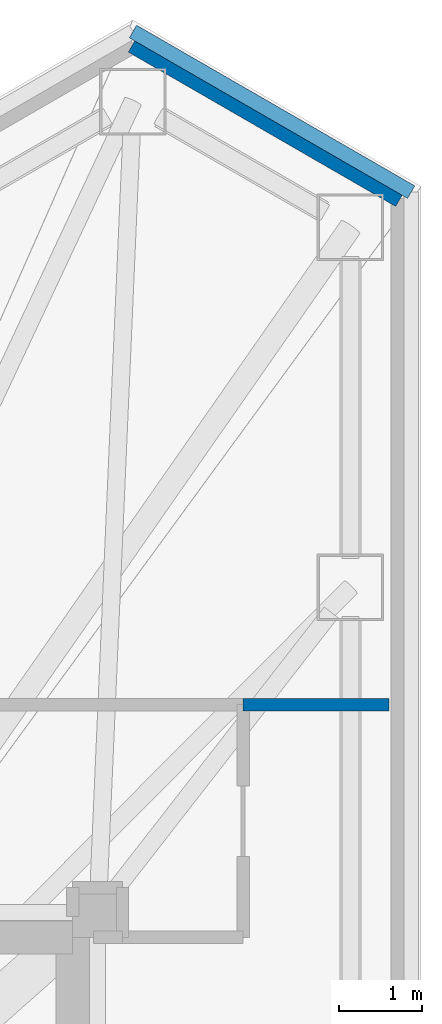
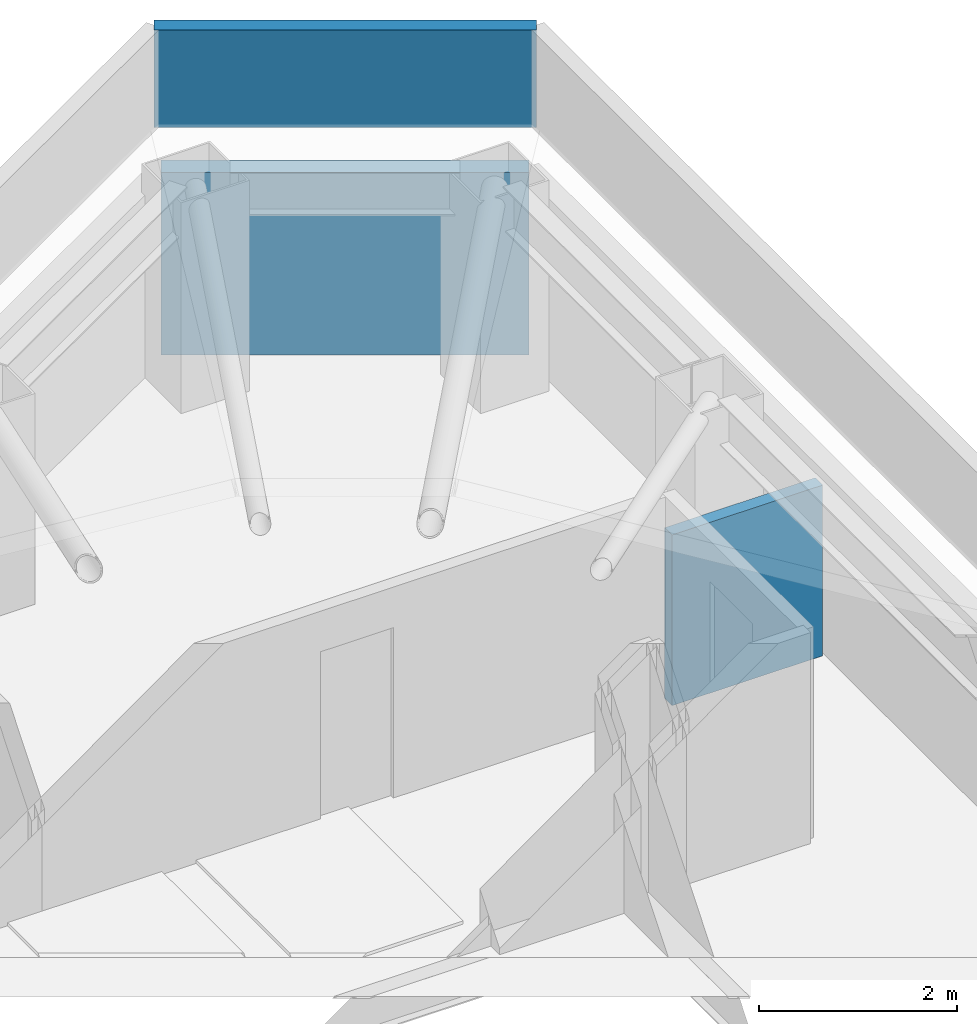
# One storey, part 4 of 5: 3 walls.
"""IFC4 building model written with IfcOpenShell, lengths in metres."""

from ifc_helpers import new_model, si_unit, direction, frame, frame_2d, origin, place, context, subcontext, project, spatial, rectangle, extrude, material, layer, layer_set, type_object, element, save


model = new_model("IFC4")

# Units and contexts
model_context = context("Model", 3, precision=1e-05, world=origin(), true_north=direction((0.0, 1.0)))
body_context = subcontext(model_context, "Body", "Model", "MODEL_VIEW")
ifc_project = project(units=[si_unit("LENGTHUNIT", "METRE"), si_unit("AREAUNIT", "SQUARE_METRE"), si_unit("VOLUMEUNIT", "CUBIC_METRE"), si_unit("PLANEANGLEUNIT", "RADIAN"), si_unit("MASSUNIT", "GRAM", prefix="KILO")], contexts=[model_context])

# Site, building, storey
site_placement = place(None, origin())
site = spatial("IfcSite", under=ifc_project, at=site_placement, CompositionType="ELEMENT")
building_placement = place(site_placement, origin())
building = spatial("IfcBuilding", under=site, at=building_placement, Name="Mersakhor Tower and Convention Hall", CompositionType="ELEMENT")
storey_placement = place(building_placement, frame((0.0, 0.0, 264.0)))
storey = spatial("IfcBuildingStorey", under=building, at=storey_placement, Name="L73", CompositionType="ELEMENT", Elevation=264.0)

# Walls
ifc_material_1 = material(Name="Precast concrete C40/50", Category="concrete")
ifc_layer_1 = layer(ifc_material_1, 0.22509765625)
ifc_layer_set_1 = layer_set([ifc_layer_1], Name="Precast concrete C40/50")
wall_type_1 = type_object("IfcWallType", Name="WL-EXT-225", PredefinedType="SOLIDWALL", material=ifc_layer_set_1)
wall_1_placement = place(storey_placement, frame((36.525146484375, 43.49951171875, 0.0), z_axis=(0.0, 0.0, 1.0), x_axis=(0.866038962515, -0.499976514854, 0.0)))
element("IfcWall", 1, at=wall_1_placement, inside=storey, type_object=wall_type_1, Name="L73 Glass-Point Crown Eave Cladding Wall 2", PredefinedType="SOLIDWALL", context=body_context, shape_type="SweptSolid", body=[
    extrude(rectangle(XDim=3.715576171875, YDim=0.22509765625, at=frame_2d((1.85791015625, 0.0))), origin(), (0.0, 0.0, 1.0), 2.25),
])
ifc_material_2 = material(Name="Precast concrete C40/50", Category="concrete")
ifc_layer_2 = layer(ifc_material_2, 0.175048828125)
ifc_layer_set_2 = layer_set([ifc_layer_2], Name="Precast concrete C40/50")
wall_type_2 = type_object("IfcWallType", Name="WL-PAR-175", PredefinedType="PARAPET", material=ifc_layer_set_2)
wall_2_placement = place(storey_placement, frame((36.525146484375, 43.6494140625, 2.699951171875), z_axis=(0.0, 0.0, 1.0), x_axis=(0.866042548026, -0.499970304126, 0.0)))
element("IfcWall", 2, at=wall_2_placement, inside=storey, type_object=wall_type_2, Name="L73 Crown Eave Perimeter Parapet 2", PredefinedType="PARAPET", context=body_context, shape_type="SweptSolid", body=[
    extrude(rectangle(XDim=3.865478515625, YDim=0.175048828125, at=frame_2d((1.9326171875, 0.0))), origin(), (0.0, 0.0, 1.0), 1.199951171875),
])
ifc_material_3 = material(Name="Fire-rated gypsum board stud partition", Category="other")
ifc_layer_3 = layer(ifc_material_3, 0.14990234375)
ifc_layer_set_3 = layer_set([ifc_layer_3], Name="Fire-rated gypsum board stud partition")
wall_type_3 = type_object("IfcWallType", Name="WL-PRT-150", PredefinedType="PARTITIONING", material=ifc_layer_set_3)
wall_3_placement = place(storey_placement, frame((39.606201171875, 35.550048828125, 0.0), z_axis=(0.0, 0.0, 1.0), x_axis=(-1.0, 0.0, 0.0)))
element("IfcWall", 3, at=wall_3_placement, inside=storey, type_object=wall_type_3, Name="L73 Interior Partition Wall P-029", PredefinedType="PARTITIONING", context=body_context, shape_type="SweptSolid", body=[
    extrude(rectangle(XDim=1.756103515625, YDim=0.14990234375, at=frame_2d((0.8779296875, 0.0))), origin(), (0.0, 0.0, 1.0), 2.10498046875),
])

save(model, "model.ifc")
